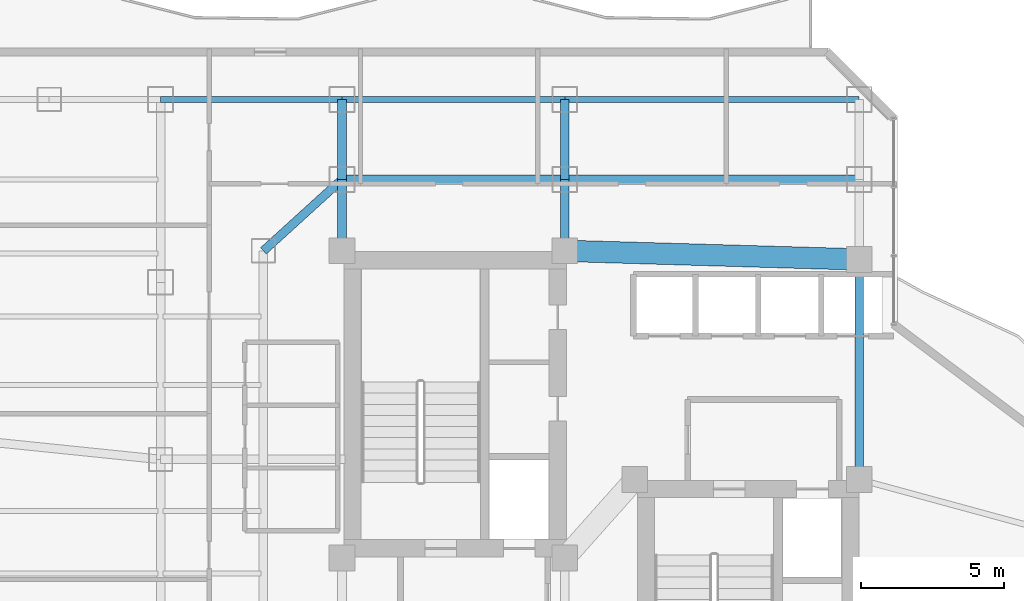
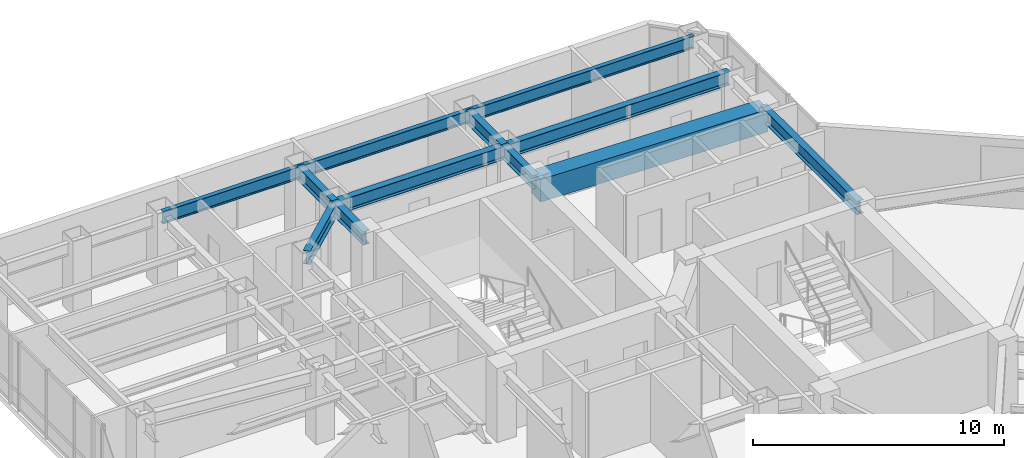
# One storey, part 18 of 31: 12 beams.
"""IFC4 building model written with IfcOpenShell, lengths in metres."""

from ifc_helpers import new_model, si_unit, direction, frame, origin, origin_2d, place, context, subcontext, project, spatial, rectangle, i_section, extrude, material, material_profile, profile_set, type_object, element, save


model = new_model("IFC4")

# Units and contexts
model_context = context("Model", 3, precision=1e-05, world=origin(), true_north=direction((0.0, 1.0)))
body_context = subcontext(model_context, "Body", "Model", "MODEL_VIEW")
ifc_project = project(units=[si_unit("LENGTHUNIT", "METRE"), si_unit("AREAUNIT", "SQUARE_METRE"), si_unit("VOLUMEUNIT", "CUBIC_METRE"), si_unit("PLANEANGLEUNIT", "RADIAN"), si_unit("MASSUNIT", "GRAM", prefix="KILO")], contexts=[model_context])

# Site, building, storey
site_placement = place(None, origin())
site = spatial("IfcSite", under=ifc_project, at=site_placement, CompositionType="ELEMENT")
building_placement = place(site_placement, origin())
building = spatial("IfcBuilding", under=site, at=building_placement, Name="Hatsunagi Terrace Concourse", CompositionType="ELEMENT")
storey_placement = place(building_placement, frame((0.0, 0.0, 122.85009765625)))
storey = spatial("IfcBuildingStorey", under=building, at=storey_placement, Name="L32", CompositionType="ELEMENT", Elevation=122.85009765625)

# Beams
ifc_material_1 = material(Name="Concrete Fc48", Category="concrete")
ifc_material_profile_1 = material_profile(ifc_material_1, rectangle(XDim=0.75, YDim=1.10009765625, at=origin_2d()), Name="RC-750x1100")
ifc_profile_set_1 = profile_set([ifc_material_profile_1], Name="Concrete Fc48")
beam_type_1 = type_object("IfcBeamType", Name="CoreCouplingBeam_RC_750x1100", PredefinedType="BEAM", material=ifc_profile_set_1)
beam_1_placement = place(storey_placement, frame((33.35009765625, 43.300048828125, 2.7998046875), z_axis=(0.999575947545, -0.029119153303, 0.0), x_axis=(0.029119153303, 0.999575947545, 0.0)))
element("IfcBeam", 1, at=beam_1_placement, inside=storey, type_object=beam_type_1, Name="Beam CB-02 CB-L32-2", PredefinedType="BEAM", context=body_context, shape_type="SweptSolid", body=[
    extrude(rectangle(XDim=0.75, YDim=1.10009765625, at=origin_2d()), origin(), (0.0, 0.0, 1.0), 10.30419921875),
])
ifc_material_2 = material(Name="Steel SN490B", Category="steel")
ifc_material_profile_2 = material_profile(ifc_material_2, i_section(OverallWidth=0.300048828125, OverallDepth=0.64990234375, WebThickness=0.012939453125, FlangeThickness=0.02197265625, FilletRadius=0.01806640625, at=origin_2d()), Name="H-650x300x13x22")
ifc_profile_set_2 = profile_set([ifc_material_profile_2], Name="Steel SN490B")
beam_type_2 = type_object("IfcBeamType", Name="OfficeLowGirder_H_650x300", PredefinedType="BEAM", material=ifc_profile_set_2)
beam_2_placement = place(storey_placement, frame((43.64990234375, 35.300048828125, 3.02490234375), z_axis=(0.0, 1.0, 0.0), x_axis=(-1.0, 0.0, 0.0)))
element("IfcBeam", 2, at=beam_2_placement, inside=storey, type_object=beam_type_2, Name="Beam G-05 BM-L32-CBK3", PredefinedType="BEAM", context=body_context, shape_type="SweptSolid", body=[
    extrude(i_section(OverallWidth=0.300048828125, OverallDepth=0.64990234375, WebThickness=0.012939453125, FlangeThickness=0.02197265625, FilletRadius=0.01806640625, at=origin_2d()), origin(), (0.0, 0.0, 1.0), 7.699951171875),
])
for number, where, z_axis, x_axis, name in (
    (3, (25.550048828125, 43.300048828125, 3.02490234375), (0.0, 1.0, 0.0), (-1.0, 0.0, 0.0), "Beam G-05 BM-L32-CN1"),
    (4, (33.35009765625, 43.300048828125, 3.02490234375), (0.0, 1.0, 0.0), (-1.0, 0.0, 0.0), "Beam G-05 BM-L32-CN2"),
):
    element("IfcBeam", number, at=place(storey_placement, frame(where, z_axis=z_axis, x_axis=x_axis)), inside=storey, type_object=beam_type_2, Name=name, PredefinedType="BEAM", context=body_context, shape_type="SweptSolid", body=[
        extrude(i_section(OverallWidth=0.300048828125, OverallDepth=0.64990234375, WebThickness=0.012939453125, FlangeThickness=0.02197265625, FilletRadius=0.01806640625, at=origin_2d()), origin(), (0.0, 0.0, 1.0), 2.5),
    ])
beam_3_placement = place(storey_placement, frame((25.550048828125, 45.800048828125, 3.02490234375), z_axis=(1.0, 0.0, 0.0), x_axis=(0.0, 1.0, 0.0)))
element("IfcBeam", 5, at=beam_3_placement, inside=storey, type_object=beam_type_2, Name="Beam G-05 BM-L32-CNEW1", PredefinedType="BEAM", context=body_context, shape_type="SweptSolid", body=[
    extrude(i_section(OverallWidth=0.300048828125, OverallDepth=0.64990234375, WebThickness=0.012939453125, FlangeThickness=0.02197265625, FilletRadius=0.01806640625, at=origin_2d()), origin(), (0.0, 0.0, 1.0), 7.800048828125),
])
beam_4_placement = place(storey_placement, frame((33.35009765625, 45.800048828125, 3.02490234375), z_axis=(1.0, 0.0, 0.0), x_axis=(0.0, 1.0, 0.0)))
element("IfcBeam", 6, at=beam_4_placement, inside=storey, type_object=beam_type_2, Name="Beam G-05 BM-L32-CNEW2", PredefinedType="BEAM", context=body_context, shape_type="SweptSolid", body=[
    extrude(i_section(OverallWidth=0.300048828125, OverallDepth=0.64990234375, WebThickness=0.012939453125, FlangeThickness=0.02197265625, FilletRadius=0.01806640625, at=origin_2d()), origin(), (0.0, 0.0, 1.0), 10.2998046875),
])
for number, where, z_axis, x_axis, name in (
    (7, (25.550048828125, 45.800048828125, 3.02490234375), (0.0, 1.0, 0.0), (-1.0, 0.0, 0.0), "Beam G-05 BM-L32-KN-WN4"),
    (8, (33.35009765625, 45.800048828125, 3.02490234375), (0.0, 1.0, 0.0), (-1.0, 0.0, 0.0), "Beam G-05 BM-L32-KN-WN5"),
):
    element("IfcBeam", number, at=place(storey_placement, frame(where, z_axis=z_axis, x_axis=x_axis)), inside=storey, type_object=beam_type_2, Name=name, PredefinedType="BEAM", context=body_context, shape_type="SweptSolid", body=[
        extrude(i_section(OverallWidth=0.300048828125, OverallDepth=0.64990234375, WebThickness=0.012939453125, FlangeThickness=0.02197265625, FilletRadius=0.01806640625, at=origin_2d()), origin(), (0.0, 0.0, 1.0), 2.800048828125),
    ])
beam_5_placement = place(storey_placement, frame((22.800048828125, 43.300048828125, 3.02490234375), z_axis=(0.739940073396, 0.672672793996, 0.0), x_axis=(-0.672672793996, 0.739940073396, 0.0)))
element("IfcBeam", 9, at=beam_5_placement, inside=storey, type_object=beam_type_2, Name="Beam G-05 BM-L32-CWEW-N", PredefinedType="BEAM", context=body_context, shape_type="SweptSolid", body=[
    extrude(i_section(OverallWidth=0.300048828125, OverallDepth=0.64990234375, WebThickness=0.012939453125, FlangeThickness=0.02197265625, FilletRadius=0.01806640625, at=origin_2d()), origin(), (0.0, 0.0, 1.0), 3.716552734375),
])
ifc_material_3 = material(Name="Steel SN490B", Category="steel")
ifc_material_profile_3 = material_profile(ifc_material_3, i_section(OverallWidth=0.199951171875, OverallDepth=0.60009765625, WebThickness=0.010986328125, FlangeThickness=0.01708984375, FilletRadius=0.01806640625, at=origin_2d()), Name="H-600x200x11x17")
ifc_profile_set_3 = profile_set([ifc_material_profile_3], Name="Steel SN490B")
beam_type_3 = type_object("IfcBeamType", Name="PerimeterSpandrel_H_600x200", PredefinedType="SPANDREL", material=ifc_profile_set_3)
beam_6_placement = place(storey_placement, frame((19.199951171875, 48.60009765625, 3.0498046875), z_axis=(1.0, 0.0, 0.0), x_axis=(0.0, 1.0, 0.0)))
element("IfcBeam", 10, at=beam_6_placement, inside=storey, type_object=beam_type_3, Name="Beam SP-01 BM-L32-WN-19", PredefinedType="SPANDREL", context=body_context, shape_type="SweptSolid", body=[
    extrude(i_section(OverallWidth=0.199951171875, OverallDepth=0.60009765625, WebThickness=0.010986328125, FlangeThickness=0.01708984375, FilletRadius=0.01806640625, at=origin_2d()), origin(), (0.0, 0.0, 1.0), 6.35009765625),
])
beam_7_placement = place(storey_placement, frame((25.550048828125, 48.60009765625, 3.0498046875), z_axis=(1.0, 0.0, 0.0), x_axis=(0.0, 1.0, 0.0)))
element("IfcBeam", 11, at=beam_7_placement, inside=storey, type_object=beam_type_3, Name="Beam SP-01 BM-L32-WN-25", PredefinedType="SPANDREL", context=body_context, shape_type="SweptSolid", body=[
    extrude(i_section(OverallWidth=0.199951171875, OverallDepth=0.60009765625, WebThickness=0.010986328125, FlangeThickness=0.01708984375, FilletRadius=0.01806640625, at=origin_2d()), origin(), (0.0, 0.0, 1.0), 7.800048828125),
])
beam_8_placement = place(storey_placement, frame((33.35009765625, 48.60009765625, 3.0498046875), z_axis=(1.0, 0.0, 0.0), x_axis=(0.0, 1.0, 0.0)))
element("IfcBeam", 12, at=beam_8_placement, inside=storey, type_object=beam_type_3, Name="Beam SP-01 BM-L32-WN-33", PredefinedType="SPANDREL", context=body_context, shape_type="SweptSolid", body=[
    extrude(i_section(OverallWidth=0.199951171875, OverallDepth=0.60009765625, WebThickness=0.010986328125, FlangeThickness=0.01708984375, FilletRadius=0.01806640625, at=origin_2d()), origin(), (0.0, 0.0, 1.0), 10.2998046875),
])

save(model, "model.ifc")
